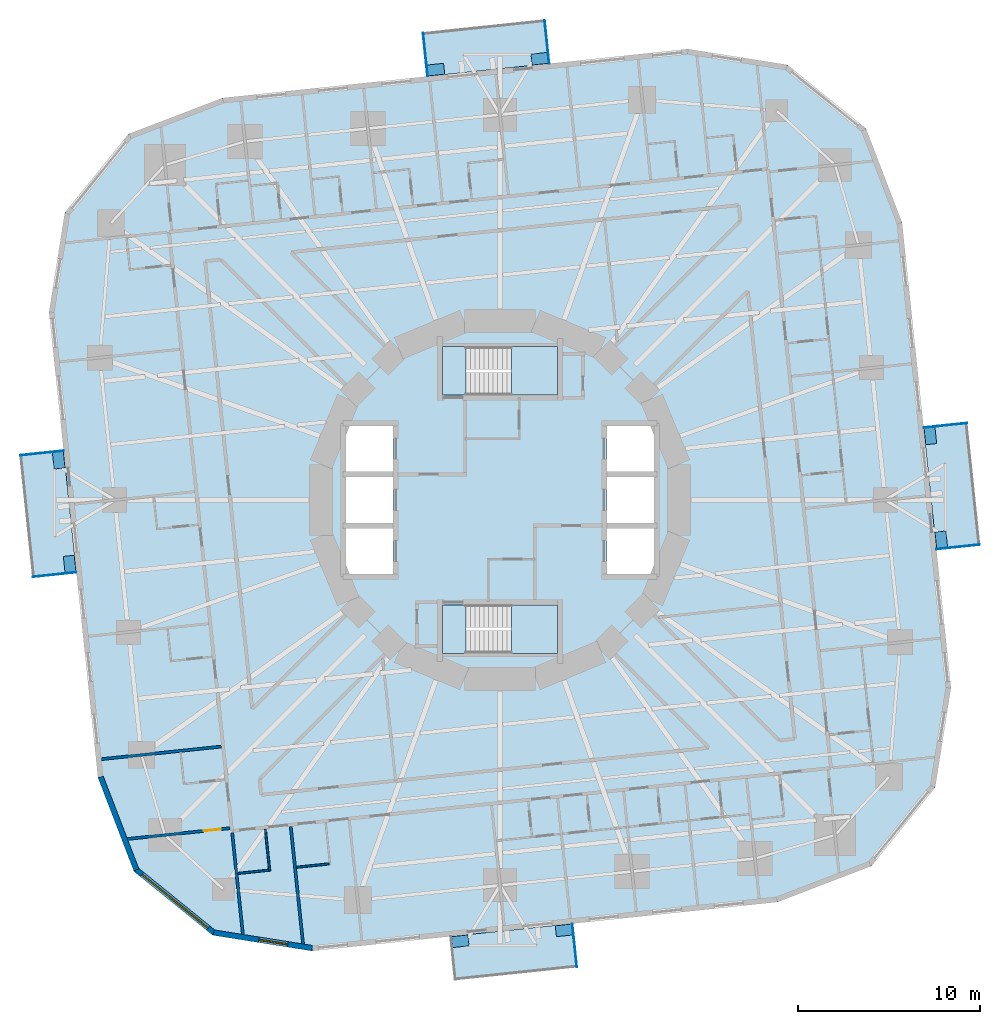
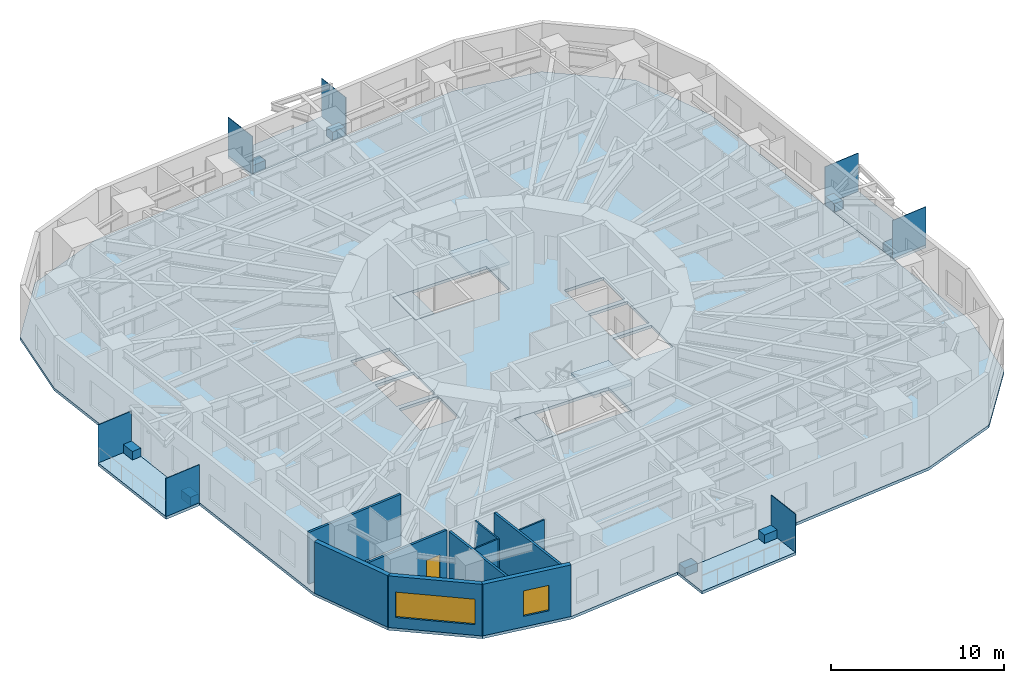
# One storey, part 4 of 13: 15 plates, 10 walls, 9 slabs, 2 windows, 1 door, 3 openings, 2 elements without a shape of their own.
"""IFC4 building model written with IfcOpenShell, lengths in metres."""

from ifc_helpers import new_model, si_unit, direction, frame, frame_2d, origin, origin_2d, place, context, subcontext, project, spatial, polyline, rectangle, outline, extrude, material, layer, layer_set, type_object, element, fill, aggregate, save


model = new_model("IFC4")

# Units and contexts
model_context = context("Model", 3, precision=1e-05, world=origin(), true_north=direction((0.0, 1.0)))
body_context = subcontext(model_context, "Body", "Model", "MODEL_VIEW")
ifc_project = project(units=[si_unit("LENGTHUNIT", "METRE"), si_unit("AREAUNIT", "SQUARE_METRE"), si_unit("VOLUMEUNIT", "CUBIC_METRE"), si_unit("PLANEANGLEUNIT", "RADIAN"), si_unit("MASSUNIT", "GRAM", prefix="KILO")], contexts=[model_context])

# Site, building, storey
site_placement = place(None, origin())
site = spatial("IfcSite", under=ifc_project, at=site_placement, CompositionType="ELEMENT")
building_placement = place(site_placement, origin())
building = spatial("IfcBuilding", under=site, at=building_placement, Name="Nakasero Lantern House", CompositionType="ELEMENT")
storey_placement = place(building_placement, frame((0.0, 0.0, 75.89990234375)))
storey = spatial("IfcBuildingStorey", under=building, at=storey_placement, Name="L18", CompositionType="ELEMENT", Elevation=75.89990234375)

# Plates
ifc_material_1 = material(Name="Aluminium 6063-T6", Category="aluminium")
ifc_layer_1 = layer(ifc_material_1, 0.60009765625)
ifc_layer_set_1 = layer_set([ifc_layer_1], Name="Balcony planter 600x900")
plate_type_1 = type_object("IfcPlateType", Name="Balcony planter 600x900", PredefinedType="USERDEFINED", material=ifc_layer_set_1)
for number, where, z_axis, x_axis, name in (
    (1, (24.1796875, -2.174560546875, 0.0), (0.0, 0.0, 1.0), (0.994521895368, 0.104528463268, 0.0), "Balcony PLANTER L18 BAL0A"),
    (2, (23.58251953125, 3.507568359375, 0.0), (0.0, 0.0, 1.0), (0.994521895368, 0.104528463268, 0.0), "Balcony PLANTER L18 BAL0B"),
    (3, (2.174560546875, 24.1796875, 0.0), (0.0, 0.0, 1.0), (-0.104528463268, 0.994521895368, 0.0), "Balcony PLANTER L18 BAL1A"),
    (4, (-3.507568359375, 23.58251953125, 0.0), (0.0, 0.0, 1.0), (-0.104528463268, 0.994521895368, 0.0), "Balcony PLANTER L18 BAL1B"),
    (5, (-24.1796875, 2.174560546875, 0.0), (0.0, 0.0, 1.0), (-0.994521895368, -0.104528463268, 0.0), "Balcony PLANTER L18 BAL2A"),
    (6, (-23.58251953125, -3.507568359375, 0.0), (0.0, 0.0, 1.0), (-0.994521895368, -0.104528463268, 0.0), "Balcony PLANTER L18 BAL2B"),
    (7, (-2.174560546875, -24.1796875, 0.0), (0.0, 0.0, 1.0), (0.104528463268, -0.994521895368, 0.0), "Balcony PLANTER L18 BAL3A"),
    (8, (3.507568359375, -23.58251953125, 0.0), (0.0, 0.0, 1.0), (0.104528463268, -0.994521895368, 0.0), "Balcony PLANTER L18 BAL3B"),
):
    element("IfcPlate", number, at=place(storey_placement, frame(where, z_axis=z_axis, x_axis=x_axis)), inside=storey, type_object=plate_type_1, Name=name, ObjectType="PLANTER", PredefinedType="USERDEFINED", context=body_context, shape_type="SweptSolid", body=[
        extrude(rectangle(XDim=0.60009765625, YDim=0.89990234375, at=origin_2d()), origin(), (0.0, 0.0, 1.0), 0.60009765625),
    ])
ifc_material_2 = material(Name="Aluminium 6063-T6", Category="aluminium")
ifc_layer_2 = layer(ifc_material_2, 0.0400390625)
ifc_layer_set_2 = layer_set([ifc_layer_2], Name="Balcony screen 2400x2700")
plate_type_2 = type_object("IfcPlateType", Name="Balcony screen 2400x2700", PredefinedType="SHEET", material=ifc_layer_set_2)
for number, where, z_axis, x_axis, name in (
    (9, (25.106201171875, -2.56982421875, 0.0), (0.0, 0.0, 1.0), (0.994521895368, 0.104528463268, 0.0), "Balcony SCREEN L18 BAL0A"),
    (10, (24.406494140625, 4.0869140625, 0.0), (0.0, 0.0, 1.0), (0.994521895368, 0.104528463268, 0.0), "Balcony SCREEN L18 BAL0B"),
    (11, (2.56982421875, 25.106201171875, 0.0), (0.0, 0.0, 1.0), (-0.104528463268, 0.994521895368, 0.0), "Balcony SCREEN L18 BAL1A"),
    (12, (-4.0869140625, 24.406494140625, 0.0), (0.0, 0.0, 1.0), (-0.104528463268, 0.994521895368, 0.0), "Balcony SCREEN L18 BAL1B"),
    (13, (-25.106201171875, 2.56982421875, 0.0), (0.0, 0.0, 1.0), (-0.994521895368, -0.104528463268, 0.0), "Balcony SCREEN L18 BAL2A"),
    (14, (-24.406494140625, -4.0869140625, 0.0), (0.0, 0.0, 1.0), (-0.994521895368, -0.104528463268, 0.0), "Balcony SCREEN L18 BAL2B"),
    (15, (4.0869140625, -24.406494140625, 0.0), (0.0, 0.0, 1.0), (0.104528463268, -0.994521895368, 0.0), "Balcony SCREEN L18 BAL3B"),
):
    element("IfcPlate", number, at=place(storey_placement, frame(where, z_axis=z_axis, x_axis=x_axis)), inside=storey, type_object=plate_type_2, Name=name, PredefinedType="SHEET", context=body_context, shape_type="SweptSolid", body=[
        extrude(rectangle(XDim=2.39990234375, YDim=0.0400390625, at=origin_2d()), origin(), (0.0, 0.0, 1.0), 2.699951171875),
    ])

# Slabs
ifc_material_3 = material(Name="Concrete C35/45", Category="concrete")
ifc_layer_3 = layer(ifc_material_3, 0.199951171875)
ifc_layer_set_3 = layer_set([ifc_layer_3], Name="Balcony slab 200")
slab_type_1 = type_object("IfcSlabType", Name="Balcony slab 200", PredefinedType="USERDEFINED", material=ifc_layer_set_3)
slab_1_placement = place(storey_placement, frame((0.0, 0.0, -0.199951171875)))
element("IfcSlab", 16, at=slab_1_placement, inside=storey, type_object=slab_type_1, Name="Balcony L18 BAL0", ObjectType="BALCONY", PredefinedType="USERDEFINED", context=body_context, shape_type="SweptSolid", body=[
    extrude(outline(polyline([(23.914794921875, -2.715087890625), (26.3017578125, -2.464111328125), (25.597900390625, 4.232177734375), (23.2109375, 3.9814453125), (23.914794921875, -2.715087890625)])), origin(), (0.0, 0.0, 1.0), 0.199951171875),
])
slab_2_placement = place(storey_placement, frame((0.0, 0.0, -0.199951171875)))
element("IfcSlab", 17, at=slab_2_placement, inside=storey, type_object=slab_type_1, Name="Balcony L18 BAL1", ObjectType="BALCONY", PredefinedType="USERDEFINED", context=body_context, shape_type="SweptSolid", body=[
    extrude(outline(polyline([(2.715087890625, 23.914794921875), (2.464111328125, 26.3017578125), (-4.232177734375, 25.597900390625), (-3.9814453125, 23.2109375), (2.715087890625, 23.914794921875)])), origin(), (0.0, 0.0, 1.0), 0.199951171875),
])
slab_3_placement = place(storey_placement, frame((0.0, 0.0, -0.199951171875)))
element("IfcSlab", 18, at=slab_3_placement, inside=storey, type_object=slab_type_1, Name="Balcony L18 BAL2", ObjectType="BALCONY", PredefinedType="USERDEFINED", context=body_context, shape_type="SweptSolid", body=[
    extrude(outline(polyline([(-23.914794921875, 2.715087890625), (-26.3017578125, 2.464111328125), (-25.597900390625, -4.232177734375), (-23.2109375, -3.9814453125), (-23.914794921875, 2.715087890625)])), origin(), (0.0, 0.0, 1.0), 0.199951171875),
])
slab_4_placement = place(storey_placement, frame((0.0, 0.0, -0.199951171875)))
element("IfcSlab", 19, at=slab_4_placement, inside=storey, type_object=slab_type_1, Name="Balcony L18 BAL3", ObjectType="BALCONY", PredefinedType="USERDEFINED", context=body_context, shape_type="SweptSolid", body=[
    extrude(outline(polyline([(-2.715087890625, -23.914794921875), (-2.464111328125, -26.3017578125), (4.232177734375, -25.597900390625), (3.9814453125, -23.2109375), (-2.715087890625, -23.914794921875)])), origin(), (0.0, 0.0, 1.0), 0.199951171875),
])
ifc_material_4 = material(Name="Concrete C35/45", Category="concrete")
ifc_layer_4 = layer(ifc_material_4, 0.199951171875)
ifc_layer_set_4 = layer_set([ifc_layer_4], Name="Composite floor slab 200")
slab_type_2 = type_object("IfcSlabType", Name="Composite floor slab 200", PredefinedType="FLOOR", material=ifc_layer_set_4)
slab_5_placement = place(storey_placement, frame((0.0, 0.0, -0.199951171875)))
element("IfcSlab", 20, at=slab_5_placement, inside=storey, type_object=slab_type_2, Name="Floor slab L18", PredefinedType="FLOOR", context=body_context, shape_type="SweptSolid", body=[
    extrude(outline(polyline([(22.033203125, 15.186279296875), (20.04833984375, 20.357177734375), (15.743896484375, 23.8427734375), (10.2734375, 24.709228515625), (-15.186279296875, 22.033203125), (-20.357177734375, 20.04833984375), (-23.8427734375, 15.743896484375), (-24.709228515625, 10.2734375), (-22.033203125, -15.186279296875), (-20.04833984375, -20.357177734375), (-15.743896484375, -23.8427734375), (-10.2734375, -24.709228515625), (15.186279296875, -22.033203125), (20.357177734375, -20.04833984375), (23.8427734375, -15.743896484375), (24.709228515625, -10.2734375), (22.033203125, 15.186279296875)]), holes=[polyline([(-8.449951171875, -4.050048828125), (-5.85009765625, -4.050048828125), (-5.85009765625, -1.550048828125), (-8.449951171875, -1.550048828125), (-8.449951171875, -4.050048828125)]), polyline([(-8.449951171875, -1.25), (-5.85009765625, -1.25), (-5.85009765625, 1.25), (-8.449951171875, 1.25), (-8.449951171875, -1.25)]), polyline([(-8.449951171875, 1.550048828125), (-5.85009765625, 1.550048828125), (-5.85009765625, 4.050048828125), (-8.449951171875, 4.050048828125), (-8.449951171875, 1.550048828125)]), polyline([(5.85009765625, -4.050048828125), (8.449951171875, -4.050048828125), (8.449951171875, -1.550048828125), (5.85009765625, -1.550048828125), (5.85009765625, -4.050048828125)]), polyline([(5.85009765625, -1.25), (8.449951171875, -1.25), (8.449951171875, 1.25), (5.85009765625, 1.25), (5.85009765625, -1.25)]), polyline([(5.85009765625, 1.550048828125), (8.449951171875, 1.550048828125), (8.449951171875, 4.050048828125), (5.85009765625, 4.050048828125), (5.85009765625, 1.550048828125)]), polyline([(-3.14990234375, 5.75), (3.14990234375, 5.75), (3.14990234375, 8.39990234375), (-3.14990234375, 8.39990234375), (-3.14990234375, 5.75)]), polyline([(-3.14990234375, -8.39990234375), (3.14990234375, -8.39990234375), (3.14990234375, -5.75), (-3.14990234375, -5.75), (-3.14990234375, -8.39990234375)])]), origin(), (0.0, 0.0, 1.0), 0.199951171875),
])

# Stair, slabs
ifc_material_5 = material(Name="Concrete C40/50", Category="concrete")
stair_type_1 = type_object("IfcStairType", Name="Escape stair ST1 22 risers", PredefinedType="HALF_TURN_STAIR", material=ifc_material_5)
stair_1_placement = place(storey_placement, origin())
stair_1 = element("IfcStair", 21, at=stair_1_placement, inside=storey, type_object=stair_type_1, Name="Escape stair ST1 L18", PredefinedType="HALF_TURN_STAIR")
ifc_material_6 = material(Name="Concrete C40/50", Category="concrete")
ifc_layer_5 = layer(ifc_material_6, 0.199951171875)
ifc_layer_set_5 = layer_set([ifc_layer_5], Name="Stair landing 200")
slab_type_3 = type_object("IfcSlabType", Name="Stair landing 200", PredefinedType="LANDING", material=ifc_layer_set_5)
slab_6_placement = place(storey_placement, frame((0.0, 0.0, -0.199951171875)))
slab_6 = element("IfcSlab", 22, at=slab_6_placement, type_object=slab_type_3, Name="ST1 landing 1", PredefinedType="LANDING", context=body_context, shape_type="SweptSolid", body=[
    extrude(outline(polyline([(-3.14990234375, 5.75), (-1.875, 5.75), (-1.875, 8.39990234375), (-3.14990234375, 8.39990234375), (-3.14990234375, 5.75)])), origin(), (0.0, 0.0, 1.0), 0.199951171875),
])
slab_7_placement = place(storey_placement, frame((0.0, 0.0, 1.72509765625)))
slab_7 = element("IfcSlab", 23, at=slab_7_placement, type_object=slab_type_3, Name="ST1 landing 2", PredefinedType="LANDING", context=body_context, shape_type="SweptSolid", body=[
    extrude(outline(polyline([(0.625, 5.75), (3.14990234375, 5.75), (3.14990234375, 8.39990234375), (0.625, 8.39990234375), (0.625, 5.75)])), origin(), (0.0, 0.0, 1.0), 0.199951171875),
])
aggregate(stair_1, [slab_6, slab_7])

ifc_material_7 = material(Name="Concrete C40/50", Category="concrete")
stair_type_2 = type_object("IfcStairType", Name="Escape stair ST2 22 risers", PredefinedType="HALF_TURN_STAIR", material=ifc_material_7)
stair_2_placement = place(storey_placement, origin())
stair_2 = element("IfcStair", 24, at=stair_2_placement, inside=storey, type_object=stair_type_2, Name="Escape stair ST2 L18", PredefinedType="HALF_TURN_STAIR")
slab_8_placement = place(storey_placement, frame((0.0, 0.0, -0.199951171875)))
slab_8 = element("IfcSlab", 25, at=slab_8_placement, type_object=slab_type_3, Name="ST2 landing 1", PredefinedType="LANDING", context=body_context, shape_type="SweptSolid", body=[
    extrude(outline(polyline([(-3.14990234375, -8.39990234375), (-1.875, -8.39990234375), (-1.875, -5.75), (-3.14990234375, -5.75), (-3.14990234375, -8.39990234375)])), origin(), (0.0, 0.0, 1.0), 0.199951171875),
])
slab_9_placement = place(storey_placement, frame((0.0, 0.0, 1.72509765625)))
slab_9 = element("IfcSlab", 26, at=slab_9_placement, type_object=slab_type_3, Name="ST2 landing 2", PredefinedType="LANDING", context=body_context, shape_type="SweptSolid", body=[
    extrude(outline(polyline([(0.625, -8.39990234375), (3.14990234375, -8.39990234375), (3.14990234375, -5.75), (0.625, -5.75), (0.625, -8.39990234375)])), origin(), (0.0, 0.0, 1.0), 0.199951171875),
])
aggregate(stair_2, [slab_8, slab_9])

# Walls
ifc_material_8 = material(Name="Blockwork", Category="masonry")
ifc_layer_6 = layer(ifc_material_8, 0.10009765625)
ifc_layer_set_6 = layer_set([ifc_layer_6], Name="En-suite wall 100")
wall_type_1 = type_object("IfcWallType", Name="En-suite wall 100", PredefinedType="PARTITIONING", material=ifc_layer_set_6)
wall_1_placement = place(storey_placement, frame((-12.859375, -18.04296875, 0.0), z_axis=(0.0, 0.0, 1.0), x_axis=(0.104452703326, -0.994529855142, 0.0)))
element("IfcWall", 27, at=wall_1_placement, inside=storey, type_object=wall_type_1, Name="En-suite wall L18 ES3-00", PredefinedType="PARTITIONING", context=body_context, shape_type="SweptSolid", body=[
    extrude(rectangle(XDim=2.300048828125, YDim=0.10009765625, at=frame_2d((1.14990234375, 0.0))), origin(), (0.0, 0.0, 1.0), 3.650146484375),
])
wall_2_placement = place(storey_placement, frame((-14.36474609375, -20.463623046875, 0.0), z_axis=(0.0, 0.0, 1.0), x_axis=(0.994519608382, 0.104550220202, 0.0)))
element("IfcWall", 28, at=wall_2_placement, inside=storey, type_object=wall_type_1, Name="En-suite wall L18 EE3-00", PredefinedType="PARTITIONING", context=body_context, shape_type="SweptSolid", body=[
    extrude(rectangle(XDim=1.699951171875, YDim=0.10009765625, at=frame_2d((0.85009765625, 0.0))), origin(), (0.0, 0.0, 1.0), 3.650146484375),
])
wall_3_placement = place(storey_placement, frame((-11.156982421875, -20.12646484375, 0.0), z_axis=(0.0, 0.0, 1.0), x_axis=(0.994516595821, 0.104578872801, 0.0)))
element("IfcWall", 29, at=wall_3_placement, inside=storey, type_object=wall_type_1, Name="En-suite wall L18 EE3-01", PredefinedType="PARTITIONING", context=body_context, shape_type="SweptSolid", body=[
    extrude(rectangle(XDim=1.7998046875, YDim=0.10009765625, at=frame_2d((0.89990234375, 0.0))), origin(), (0.0, 0.0, 1.0), 3.650146484375),
])
ifc_material_9 = material(Name="Aluminium rainscreen on blockwork", Category="masonry")
ifc_layer_7 = layer(ifc_material_9, 0.300048828125)
ifc_layer_set_7 = layer_set([ifc_layer_7], Name="Facade wall 300")
wall_type_2 = type_object("IfcWallType", Name="Facade wall 300", PredefinedType="SOLIDWALL", material=ifc_layer_set_7)
wall_4_placement = place(storey_placement, frame((-21.884033203125, -15.170654296875, 0.0), z_axis=(0.0, 0.0, 1.0), x_axis=(0.358358884793, -0.933583906079, 0.0)))
element("IfcWall", 30, at=wall_4_placement, inside=storey, type_object=wall_type_2, Name="Facade wall L18 FW2C1", PredefinedType="SOLIDWALL", context=body_context, shape_type="SweptSolid", body=[
    extrude(rectangle(XDim=5.461181640625, YDim=0.300048828125, at=frame_2d((2.73046875, 0.0))), origin(), (0.0, 0.0, 1.0), 3.650146484375),
])

# Wall, opening, window
wall_5_placement = place(storey_placement, frame((-19.927001953125, -20.26904296875, 0.0), z_axis=(0.0, 0.0, 1.0), x_axis=(0.777134500863, -0.629334543442, 0.0)))
wall_5 = element("IfcWall", 31, at=wall_5_placement, inside=storey, type_object=wall_type_2, Name="Facade wall L18 FW2C2", PredefinedType="SOLIDWALL", context=body_context, shape_type="SweptSolid", body=[
    extrude(rectangle(XDim=5.4609375, YDim=0.300048828125, at=frame_2d((2.73046875, 0.0))), origin(), (0.0, 0.0, 1.0), 3.650146484375),
])
opening_1_placement = place(wall_5_placement, frame((0.39990234375, 0.0, 0.75)))
opening_1 = element("IfcOpeningElement", 32, at=opening_1_placement, cuts=wall_5, Name="Opening W246", PredefinedType="OPENING", context=body_context, shape_type="SweptSolid", body=[
    extrude(rectangle(XDim=4.660888671875, YDim=1.800048828125, at=frame_2d((2.33056640625, 0.89990234375))), frame((0.0, 0.169921875, 0.0), z_axis=(0.0, -1.0, 0.0), x_axis=(1.0, 0.0, 0.0)), (0.0, 0.0, 1.0), 0.340087890625),
])
ifc_material_10 = material(Name="Aluminium 6063-T6 and glass", Category="aluminium")
window_type_1 = type_object("IfcWindowType", Name="Corner window 4661x1800", PartitioningType="SINGLE_PANEL", PredefinedType="WINDOW", material=ifc_material_10)
window_1_placement = place(opening_1_placement, origin())
window_1 = element("IfcWindow", 33, at=window_1_placement, inside=storey, type_object=window_type_1, Name="Window L18 WC2", OverallHeight=1.800048828125, OverallWidth=4.660888671875, PartitioningType="SINGLE_PANEL", PredefinedType="WINDOW", context=body_context, shape_type="SweptSolid", body=[
    extrude(rectangle(XDim=4.660888671875, YDim=1.800048828125, at=frame_2d((2.33056640625, 0.89990234375))), frame((0.0, 0.030029296875, 0.0), z_axis=(0.0, -1.0, 0.0), x_axis=(1.0, 0.0, 0.0)), (0.0, 0.0, 1.0), 0.06005859375),
])
fill(opening_1, window_1)

wall_6_placement = place(storey_placement, frame((-15.68310546875, -23.705810546875, 0.0), z_axis=(0.0, 0.0, 1.0), x_axis=(0.987690729142, -0.156419383601, 0.0)))
wall_6 = element("IfcWall", 34, at=wall_6_placement, inside=storey, type_object=wall_type_2, Name="Facade wall L18 FW2C3", PredefinedType="SOLIDWALL", context=body_context, shape_type="SweptSolid", body=[
    extrude(rectangle(XDim=5.461181640625, YDim=0.300048828125, at=frame_2d((2.73046875, 0.0))), origin(), (0.0, 0.0, 1.0), 3.650146484375),
])
opening_2_placement = place(wall_6_placement, frame((2.5, 0.0, 0.75)))
opening_2 = element("IfcOpeningElement", 35, at=opening_2_placement, cuts=wall_6, Name="Opening W01", PredefinedType="OPENING", context=body_context, shape_type="SweptSolid", body=[
    extrude(rectangle(XDim=1.60009765625, YDim=1.800048828125, at=frame_2d((0.800048828125, 0.89990234375))), frame((0.0, 0.169921875, 0.0), z_axis=(0.0, -1.0, 0.0), x_axis=(1.0, 0.0, 0.0)), (0.0, 0.0, 1.0), 0.340087890625),
])
ifc_material_11 = material(Name="Aluminium 6063-T6 and glass", Category="aluminium")
window_type_2 = type_object("IfcWindowType", Name="Bedroom window 1600x1800", PartitioningType="SINGLE_PANEL", PredefinedType="WINDOW", material=ifc_material_11)
window_2_placement = place(opening_2_placement, origin())
window_2 = element("IfcWindow", 36, at=window_2_placement, inside=storey, type_object=window_type_2, Name="Window L18 WN3-00", OverallHeight=1.800048828125, OverallWidth=1.60009765625, PartitioningType="SINGLE_PANEL", PredefinedType="WINDOW", context=body_context, shape_type="SweptSolid", body=[
    extrude(rectangle(XDim=1.60009765625, YDim=1.800048828125, at=frame_2d((0.800048828125, 0.89990234375))), frame((0.0, 0.030029296875, 0.0), z_axis=(0.0, -1.0, 0.0), x_axis=(1.0, 0.0, 0.0)), (0.0, 0.0, 1.0), 0.06005859375),
])
fill(opening_2, window_2)

# Wall
ifc_material_12 = material(Name="Blockwork", Category="masonry")
ifc_layer_8 = layer(ifc_material_12, 0.14990234375)
ifc_layer_set_8 = layer_set([ifc_layer_8], Name="Party wall 150")
wall_type_3 = type_object("IfcWallType", Name="Party wall 150", PredefinedType="PARTITIONING", material=ifc_layer_set_8)
wall_7_placement = place(storey_placement, frame((-15.271240234375, -13.511474609375, 0.0), z_axis=(0.0, 0.0, 1.0), x_axis=(-0.994521251134, -0.104534592565, 0.0)))
element("IfcWall", 37, at=wall_7_placement, inside=storey, type_object=wall_type_3, Name="Party wall L18 PW2-08", PredefinedType="PARTITIONING", context=body_context, shape_type="SweptSolid", body=[
    extrude(rectangle(XDim=6.60009765625, YDim=0.14990234375, at=frame_2d((3.300048828125, 0.0))), origin(), (0.0, 0.0, 1.0), 3.650146484375),
])

# Wall, opening, door
wall_8_placement = place(storey_placement, frame((-14.801025390625, -17.9853515625, 0.0), z_axis=(0.0, 0.0, 1.0), x_axis=(-0.994522751177, -0.104520320471, 0.0)))
wall_8 = element("IfcWall", 38, at=wall_8_placement, inside=storey, type_object=wall_type_3, Name="Party wall L18 PC2", PredefinedType="PARTITIONING", context=body_context, shape_type="SweptSolid", body=[
    extrude(rectangle(XDim=5.64111328125, YDim=0.14990234375, at=frame_2d((2.820556640625, 0.0))), origin(), (0.0, 0.0, 1.0), 3.650146484375),
])
opening_3_placement = place(wall_8_placement, frame((0.5, 0.0, 0.0)))
opening_3 = element("IfcOpeningElement", 39, at=opening_3_placement, cuts=wall_8, Name="Opening D01", PredefinedType="OPENING", context=body_context, shape_type="SweptSolid", body=[
    extrude(rectangle(XDim=0.949951171875, YDim=2.10009765625, at=frame_2d((0.47509765625, 1.050048828125))), frame((0.0, 0.094970703125, 0.0), z_axis=(0.0, -1.0, 0.0), x_axis=(1.0, 0.0, 0.0)), (0.0, 0.0, 1.0), 0.18994140625),
])
ifc_material_13 = material(Name="Timber C24", Category="wood")
door_type = type_object("IfcDoorType", Name="Bedroom door FD30S 950", OperationType="SINGLE_SWING_LEFT", PredefinedType="DOOR", material=ifc_material_13)
door_placement = place(opening_3_placement, origin())
door = element("IfcDoor", 40, at=door_placement, inside=storey, type_object=door_type, Name="Door L18 DC2", OperationType="SINGLE_SWING_LEFT", OverallHeight=2.10009765625, OverallWidth=0.949951171875, PredefinedType="DOOR", context=body_context, shape_type="SweptSolid", body=[
    extrude(rectangle(XDim=0.949951171875, YDim=2.10009765625, at=frame_2d((0.47509765625, 1.050048828125))), frame((0.0, 0.02490234375, 0.0), z_axis=(0.0, -1.0, 0.0), x_axis=(1.0, 0.0, 0.0)), (0.0, 0.0, 1.0), 0.050048828125),
])
fill(opening_3, door)

# Walls
wall_9_placement = place(storey_placement, frame((-14.674560546875, -18.23388671875, 0.0), z_axis=(0.0, 0.0, 1.0), x_axis=(0.104541754786, -0.994520498284, 0.0)))
element("IfcWall", 41, at=wall_9_placement, inside=storey, type_object=wall_type_3, Name="Party wall L18 PW3-00", PredefinedType="PARTITIONING", context=body_context, shape_type="SweptSolid", body=[
    extrude(rectangle(XDim=5.597900390625, YDim=0.14990234375, at=frame_2d((2.798828125, 0.0))), origin(), (0.0, 0.0, 1.0), 3.650146484375),
])
wall_10_placement = place(storey_placement, frame((-11.466796875, -17.896728515625, 0.0), z_axis=(0.0, 0.0, 1.0), x_axis=(0.10453728607, -0.994520968015, 0.0)))
element("IfcWall", 42, at=wall_10_placement, inside=storey, type_object=wall_type_3, Name="Party wall L18 PW3-01", PredefinedType="PARTITIONING", context=body_context, shape_type="SweptSolid", body=[
    extrude(rectangle(XDim=6.462158203125, YDim=0.14990234375, at=frame_2d((3.23095703125, 0.0))), origin(), (0.0, 0.0, 1.0), 3.650146484375),
])

save(model, "model.ifc")
